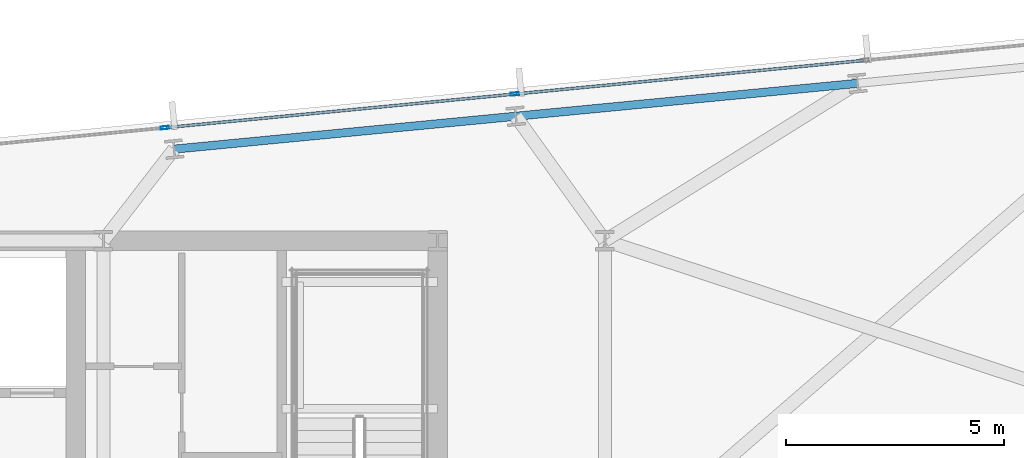
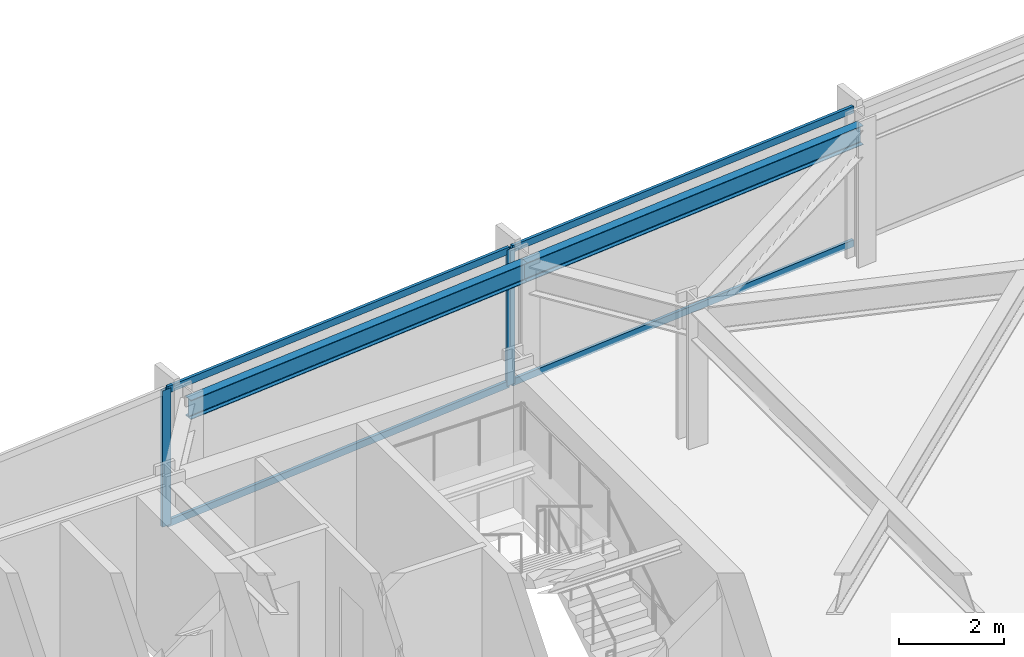
# One storey, part 21 of 32: 6 members, 2 beams, 1 element without a shape of its own.
"""IFC4 building model written with IfcOpenShell, lengths in metres."""

from ifc_helpers import new_model, si_unit, direction, frame, origin, origin_2d, place, context, subcontext, project, spatial, hollow_rectangle, i_section, extrude, material, material_profile, profile_set, type_object, element, aggregate, save


model = new_model("IFC4")

# Units and contexts
model_context = context("Model", 3, precision=1e-05, world=origin(), true_north=direction((0.0, 1.0)))
body_context = subcontext(model_context, "Body", "Model", "MODEL_VIEW")
ifc_project = project(units=[si_unit("LENGTHUNIT", "METRE"), si_unit("AREAUNIT", "SQUARE_METRE"), si_unit("VOLUMEUNIT", "CUBIC_METRE"), si_unit("PLANEANGLEUNIT", "RADIAN"), si_unit("MASSUNIT", "GRAM", prefix="KILO")], contexts=[model_context])

# Site, building, storey
site_placement = place(None, origin())
site = spatial("IfcSite", under=ifc_project, at=site_placement, CompositionType="ELEMENT")
building_placement = place(site_placement, origin())
building = spatial("IfcBuilding", under=site, at=building_placement, Name="Yelkora Congress Tower", CompositionType="ELEMENT")
storey_placement = place(building_placement, frame((0.0, 0.0, 113.5)))
storey = spatial("IfcBuildingStorey", under=building, at=storey_placement, Name="L30", CompositionType="ELEMENT", Elevation=113.5)

# Beams
ifc_material_1 = material(Name="Steel S355J2", Category="steel")
ifc_material_profile_1 = material_profile(ifc_material_1, i_section(OverallWidth=0.18994140625, OverallDepth=0.449951171875, WebThickness=0.009521484375, FlangeThickness=0.0146484375, FilletRadius=0.02099609375, at=origin_2d()), Name="IPE 450")
ifc_profile_set_1 = profile_set([ifc_material_profile_1], Name="Steel S355J2")
beam_type = type_object("IfcBeamType", Name="BM-SPAN-IPE450", PredefinedType="SPANDREL", material=ifc_profile_set_1)
for number, where, z_axis, x_axis, name in (
    (1, (63.4033203125, 49.81201171875, 2.955078125), (-0.995398529126, -0.09582154358, 0.0), (0.09582154358, -0.995398529126, 0.0), "L30 Perimeter Beam 15"),
    (2, (55.553955078125, 49.056396484375, 2.955078125), (-0.995395575667, -0.095852219286, 0.0), (0.095852219286, -0.995395575667, 0.0), "L30 Perimeter Beam 16"),
):
    element("IfcBeam", number, at=place(storey_placement, frame(where, z_axis=z_axis, x_axis=x_axis)), inside=storey, type_object=beam_type, Name=name, PredefinedType="SPANDREL", context=body_context, shape_type="SweptSolid", body=[
        extrude(i_section(OverallWidth=0.18994140625, OverallDepth=0.449951171875, WebThickness=0.009521484375, FlangeThickness=0.0146484375, FilletRadius=0.02099609375, at=origin_2d()), origin(), (0.0, 0.0, 1.0), 7.8857421875),
    ])

# Curtain wall, members
ifc_material_2 = material(Name="Anodised aluminium and insulated glass", Category="aluminium")
curtain_wall_type = type_object("IfcCurtainWallType", Name="CW-SYS-B2", PredefinedType="NOTDEFINED", material=ifc_material_2)
curtain_wall_placement = place(storey_placement, origin())
curtain_wall = element("IfcCurtainWall", 3, at=curtain_wall_placement, inside=storey, type_object=curtain_wall_type, Name="L30 Unitised Curtain Wall 10 (3)", PredefinedType="NOTDEFINED")
ifc_material_3 = material(Name="Anodised aluminium 6063-T6", Category="aluminium")
ifc_material_profile_2 = material_profile(ifc_material_3, hollow_rectangle(XDim=0.070068359375, YDim=0.18994140625, WallThickness=0.00390625, at=origin_2d()), Name="ALU 70x190x4")
ifc_profile_set_2 = profile_set([ifc_material_profile_2], Name="Anodised aluminium 6063-T6")
member_type_1 = type_object("IfcMemberType", Name="MEM-ML-B2", PredefinedType="MULLION", material=ifc_profile_set_2)
member_1_placement = place(storey_placement, frame((47.491943359375, 48.79248046875, 0.0), z_axis=(0.0, 0.0, 1.0), x_axis=(-0.095844238468, 0.995396344153, 0.0)))
member_1 = element("IfcMember", 4, at=member_1_placement, type_object=member_type_1, Name="CW-B2 mullion 4", PredefinedType="MULLION", context=body_context, shape_type="SweptSolid", body=[
    extrude(hollow_rectangle(XDim=0.070068359375, YDim=0.18994140625, WallThickness=0.00390625, at=origin_2d()), origin(), (0.0, 0.0, 1.0), 3.179931640625),
])
member_2_placement = place(storey_placement, frame((55.531982421875, 49.566650390625, 0.0), z_axis=(0.0, 0.0, 1.0), x_axis=(-0.095844238468, 0.995396344153, 0.0)))
member_2 = element("IfcMember", 5, at=member_2_placement, type_object=member_type_1, Name="CW-B2 mullion 5", PredefinedType="MULLION", context=body_context, shape_type="SweptSolid", body=[
    extrude(hollow_rectangle(XDim=0.070068359375, YDim=0.18994140625, WallThickness=0.00390625, at=origin_2d()), origin(), (0.0, 0.0, 1.0), 3.179931640625),
])
ifc_material_profile_3 = material_profile(ifc_material_3, hollow_rectangle(XDim=0.06494140625, YDim=0.159912109375, WallThickness=0.00390625, at=origin_2d()), Name="ALU 65x160x4")
ifc_profile_set_3 = profile_set([ifc_material_profile_3], Name="Anodised aluminium 6063-T6")
member_type_2 = type_object("IfcMemberType", Name="MEM-TR-B2", PredefinedType="USERDEFINED", material=ifc_profile_set_3)
member_3_placement = place(storey_placement, frame((47.52685546875, 48.7958984375, 0.032470703125), z_axis=(0.995397513894, 0.095832089266, 0.0), x_axis=(-0.095832089266, 0.995397513894, 0.0)))
member_3 = element("IfcMember", 6, at=member_3_placement, type_object=member_type_2, Name="CW-B2 transom 4.1", ObjectType="TRANSOM", PredefinedType="USERDEFINED", context=body_context, shape_type="SweptSolid", body=[
    extrude(hollow_rectangle(XDim=0.06494140625, YDim=0.159912109375, WallThickness=0.00390625, at=origin_2d()), origin(), (0.0, 0.0, 1.0), 8.007080078125),
])
member_4_placement = place(storey_placement, frame((47.52685546875, 48.7958984375, 3.1474609375), z_axis=(0.995397513894, 0.095832089266, 0.0), x_axis=(-0.095832089266, 0.995397513894, 0.0)))
member_4 = element("IfcMember", 7, at=member_4_placement, type_object=member_type_2, Name="CW-B2 transom 4.2", ObjectType="TRANSOM", PredefinedType="USERDEFINED", context=body_context, shape_type="SweptSolid", body=[
    extrude(hollow_rectangle(XDim=0.06494140625, YDim=0.159912109375, WallThickness=0.00390625, at=origin_2d()), origin(), (0.0, 0.0, 1.0), 8.007080078125),
])
member_5_placement = place(storey_placement, frame((55.566650390625, 49.570068359375, 0.032470703125), z_axis=(0.995397793901, 0.09582918082, 0.0), x_axis=(-0.09582918082, 0.995397793901, 0.0)))
member_5 = element("IfcMember", 8, at=member_5_placement, type_object=member_type_2, Name="CW-B2 transom 5.1", ObjectType="TRANSOM", PredefinedType="USERDEFINED", context=body_context, shape_type="SweptSolid", body=[
    extrude(hollow_rectangle(XDim=0.06494140625, YDim=0.159912109375, WallThickness=0.00390625, at=origin_2d()), origin(), (0.0, 0.0, 1.0), 8.00732421875),
])
member_6_placement = place(storey_placement, frame((55.566650390625, 49.570068359375, 3.1474609375), z_axis=(0.995397793901, 0.09582918082, 0.0), x_axis=(-0.09582918082, 0.995397793901, 0.0)))
member_6 = element("IfcMember", 9, at=member_6_placement, type_object=member_type_2, Name="CW-B2 transom 5.2", ObjectType="TRANSOM", PredefinedType="USERDEFINED", context=body_context, shape_type="SweptSolid", body=[
    extrude(hollow_rectangle(XDim=0.06494140625, YDim=0.159912109375, WallThickness=0.00390625, at=origin_2d()), origin(), (0.0, 0.0, 1.0), 8.00732421875),
])
aggregate(curtain_wall, [member_1, member_2, member_3, member_4, member_5, member_6])

save(model, "model.ifc")
